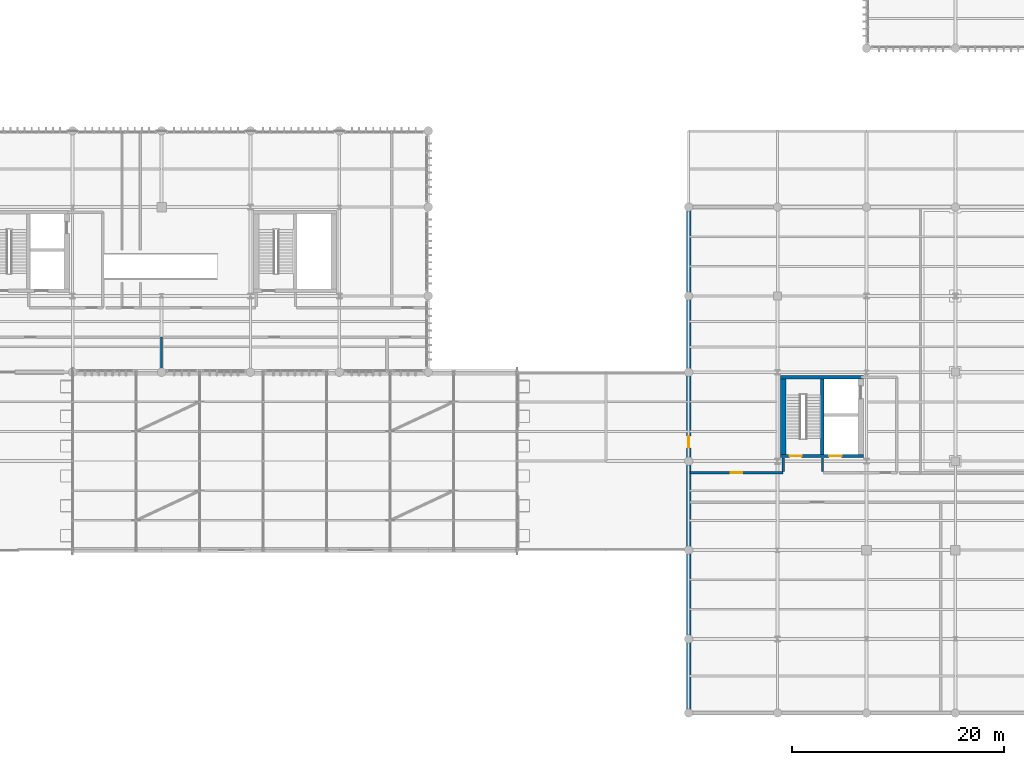
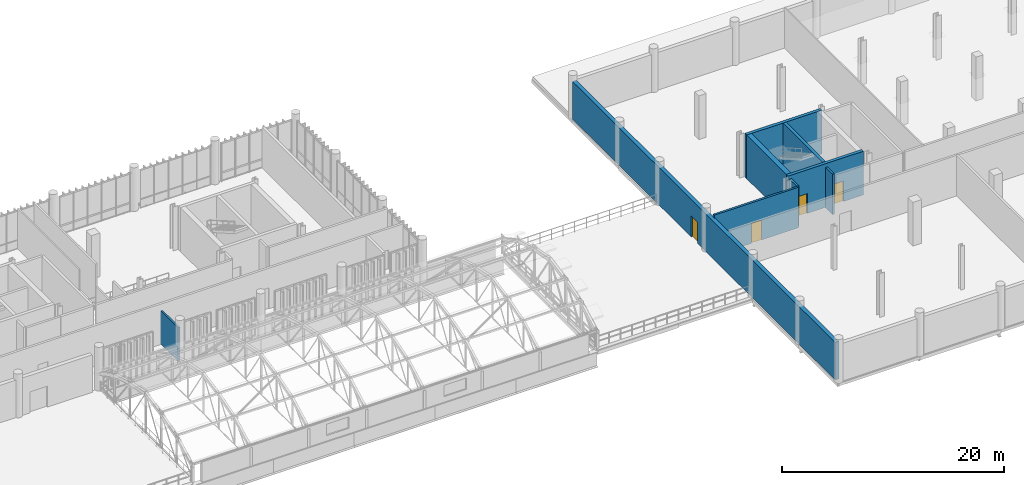
# One storey, part 93 of 109: 9 walls, 4 doors, 4 openings.
"""IFC4 building model written with IfcOpenShell, lengths in metres."""

from ifc_helpers import new_model, si_unit, direction, frame, frame_2d, origin_with_axes, place, context, subcontext, project, spatial, rectangle, extrude, material, layer, layer_set, type_object, element, fill, save


model = new_model("IFC4")

# Units and contexts
model_context = context("Model", 3, precision=1e-05, world=origin_with_axes(), true_north=direction((0.0, 1.0)))
body_context = subcontext(model_context, "Body", "Model", "MODEL_VIEW")
ifc_project = project(units=[si_unit("LENGTHUNIT", "METRE"), si_unit("AREAUNIT", "SQUARE_METRE"), si_unit("VOLUMEUNIT", "CUBIC_METRE"), si_unit("PLANEANGLEUNIT", "RADIAN"), si_unit("MASSUNIT", "GRAM", prefix="KILO"), si_unit("THERMODYNAMICTEMPERATUREUNIT", "KELVIN")], contexts=[model_context])

# Site, building, storey
site_placement = place(None, origin_with_axes())
site = spatial("IfcSite", under=ifc_project, at=site_placement, CompositionType="ELEMENT")
building_placement = place(site_placement, origin_with_axes())
building = spatial("IfcBuilding", under=site, at=building_placement, Name="Montbau Bow Law Courts", CompositionType="ELEMENT")
storey_placement = place(building_placement, frame((0.0, 0.0, 10.8), z_axis=(0.0, 0.0, 1.0), x_axis=(1.0, 0.0, 0.0)))
storey = spatial("IfcBuildingStorey", under=building, at=storey_placement, Name="L02", CompositionType="ELEMENT", Elevation=10.8)

# Wall
ifc_material_1 = material(Name="Concrete CSA A23.1 f'c 45 MPa", Category="concrete")
ifc_layer_1 = layer(ifc_material_1, 0.5, Name="Shear Wall", Category="concrete")
ifc_layer_set_1 = layer_set([ifc_layer_1], Name="Concrete CSA A23.1 f'c 45 MPa")
wall_type_1 = type_object("IfcWallType", Name="W-COR-01", PredefinedType="SHEAR", material=ifc_layer_set_1)
wall_1_placement = place(None, frame((130.74, 38.36, 10.8), z_axis=(0.0, 0.0, 1.0), x_axis=(0.0, -1.0, 0.0)))
element("IfcWall", 1, at=wall_1_placement, inside=storey, type_object=wall_type_1, Name="WC-L02-0510:wal_0577", PredefinedType="SHEAR", context=body_context, shape_type="SweptSolid", body=[
    extrude(rectangle(XDim=7.120000000000001, YDim=0.5, at=frame_2d((3.56, 0.0), x_axis=(1.0, 0.0))), origin_with_axes(), (0.0, 0.0, 1.0), 4.8),
])

# Wall, openings, doors
ifc_layer_2 = layer(ifc_material_1, 0.32, Name="Shear Wall", Category="concrete")
ifc_layer_set_2 = layer_set([ifc_layer_2], Name="Concrete CSA A23.1 f'c 45 MPa")
wall_type_2 = type_object("IfcWallType", Name="W-COR-05", PredefinedType="SHEAR", material=ifc_layer_set_2)
wall_2_placement = place(None, frame((130.49, 31.08, 10.8), z_axis=(0.0, 0.0, 1.0), x_axis=(1.0, 0.0, 0.0)))
wall_2 = element("IfcWall", 2, at=wall_2_placement, inside=storey, type_object=wall_type_2, Name="WC-L02-0507:wal_0574", PredefinedType="SHEAR", context=body_context, shape_type="SweptSolid", body=[
    extrude(rectangle(XDim=7.819999999999993, YDim=0.32, at=frame_2d((3.91, 0.0), x_axis=(1.0, 0.0))), origin_with_axes(), (0.0, 0.0, 1.0), 4.8),
])
opening_1_placement = place(None, frame((131.91, 31.08, 10.8), z_axis=(0.0, 0.0, 1.0), x_axis=(1.0, 0.0, 0.0)))
opening_1 = element("IfcOpeningElement", 3, at=opening_1_placement, cuts=wall_2, Name="OP-D-L02-ST-C1", PredefinedType="OPENING", context=body_context, shape_type="SweptSolid", body=[
    extrude(rectangle(XDim=1.14, YDim=2.18, at=frame_2d((0.0, 1.09), x_axis=(1.0, 0.0))), frame((0.0, 0.17, 0.0), z_axis=(0.0, -1.0, 0.0), x_axis=(1.0, 0.0, 0.0)), (0.0, 0.0, 1.0), 0.34),
])
opening_2_placement = place(None, frame((135.66, 31.08, 10.8), z_axis=(0.0, 0.0, 1.0), x_axis=(1.0, 0.0, 0.0)))
opening_2 = element("IfcOpeningElement", 4, at=opening_2_placement, cuts=wall_2, Name="OP-LD-L02-EL-C1", PredefinedType="OPENING", context=body_context, shape_type="SweptSolid", body=[
    extrude(rectangle(XDim=1.18, YDim=2.24, at=frame_2d((0.0, 1.12), x_axis=(1.0, 0.0))), frame((0.0, 0.17, 0.0), z_axis=(0.0, -1.0, 0.0), x_axis=(1.0, 0.0, 0.0)), (0.0, 0.0, 1.0), 0.34),
])
ifc_material_2 = material(Name="1.5 h Fire-Rated Hollow-Metal Exit Stair Door", Category="steel")
door_type_1 = type_object("IfcDoorType", Name="D-ST-01", OperationType="NOTDEFINED", ParameterTakesPrecedence=False, PredefinedType="DOOR", material=ifc_material_2)
door_1_placement = place(None, frame((131.91, 31.08, 10.8), z_axis=(0.0, 0.0, 1.0), x_axis=(-1.0, 0.0, 0.0)))
door_1 = element("IfcDoor", 5, at=door_1_placement, inside=storey, type_object=door_type_1, Name="D-L02-ST-C1:dor_0227", OperationType="SINGLE_SWING_LEFT", OverallHeight=2.18, OverallWidth=1.14, PredefinedType="DOOR", context=body_context, shape_type="SweptSolid", body=[
    extrude(rectangle(XDim=1.14, YDim=2.18, at=frame_2d((0.0, 1.09), x_axis=(1.0, 0.0))), frame((0.0, 0.04, 0.0), z_axis=(0.0, -1.0, 0.0), x_axis=(1.0, 0.0, 0.0)), (0.0, 0.0, 1.0), 0.08),
])
fill(opening_1, door_1)
ifc_material_3 = material(Name="Heavy-Gauge Security Custody Elevator Landing Door", Category="steel")
door_type_2 = type_object("IfcDoorType", Name="LD-CUS-01", OperationType="NOTDEFINED", ParameterTakesPrecedence=False, PredefinedType="DOOR", material=ifc_material_3)
door_2_placement = place(None, frame((135.66, 31.08, 10.8), z_axis=(0.0, 0.0, 1.0), x_axis=(-1.0, 0.0, 0.0)))
door_2 = element("IfcDoor", 6, at=door_2_placement, inside=storey, type_object=door_type_2, Name="LD-L02-EL-C1:dor_0228", OperationType="SLIDING_TO_LEFT", OverallHeight=2.24, OverallWidth=1.18, PredefinedType="DOOR", context=body_context, shape_type="SweptSolid", body=[
    extrude(rectangle(XDim=1.18, YDim=2.24, at=frame_2d((0.0, 1.12), x_axis=(1.0, 0.0))), frame((0.0, 0.04, 0.0), z_axis=(0.0, -1.0, 0.0), x_axis=(1.0, 0.0, 0.0)), (0.0, 0.0, 1.0), 0.08),
])
fill(opening_2, door_2)

# Walls
wall_3_placement = place(None, frame((138.31, 38.52, 10.8), z_axis=(0.0, 0.0, 1.0), x_axis=(-1.0, 0.0, 0.0)))
element("IfcWall", 7, at=wall_3_placement, inside=storey, type_object=wall_type_2, Name="WC-L02-0508:wal_0575", PredefinedType="SHEAR", context=body_context, shape_type="SweptSolid", body=[
    extrude(rectangle(XDim=7.819999999999993, YDim=0.32, at=frame_2d((3.91, 0.0), x_axis=(1.0, 0.0))), origin_with_axes(), (0.0, 0.0, 1.0), 4.8),
])
wall_4_placement = place(None, frame((134.42, 31.24, 10.8), z_axis=(0.0, 0.0, 1.0), x_axis=(0.0, 1.0, 0.0)))
element("IfcWall", 8, at=wall_4_placement, inside=storey, type_object=wall_type_2, Name="WS-L02-0511:wal_0578", PredefinedType="SHEAR", context=body_context, shape_type="SweptSolid", body=[
    extrude(rectangle(XDim=7.120000000000001, YDim=0.32, at=frame_2d((3.56, 0.0), x_axis=(1.0, 0.0))), origin_with_axes(), (0.0, 0.0, 1.0), 4.8),
])

# Wall, opening, door
ifc_material_4 = material(Name="Polychrome Glazed Ceramic Rainscreen Insulated Wall", Category="masonry")
ifc_layer_3 = layer(ifc_material_4, 0.4, Name="Solid Wall", Category="masonry")
ifc_layer_set_3 = layer_set([ifc_layer_3], Name="Polychrome Glazed Ceramic Rainscreen Insulated Wall")
wall_type_3 = type_object("IfcWallType", Name="W-EXT-04", PredefinedType="SOLIDWALL", material=ifc_layer_set_3)
wall_5_placement = place(None, frame((121.8, 54.34, 10.8), z_axis=(0.0, 0.0, 1.0), x_axis=(0.0, -1.0, 0.0)))
wall_5 = element("IfcWall", 9, at=wall_5_placement, inside=storey, type_object=wall_type_3, Name="WE-L02-023:wal_0040", PredefinedType="SOLIDWALL", context=body_context, shape_type="SweptSolid", body=[
    extrude(rectangle(XDim=47.28, YDim=0.4, at=frame_2d((23.64, 0.0), x_axis=(1.0, 0.0))), origin_with_axes(), (0.0, 0.0, 1.0), 4.124),
])
opening_3_placement = place(None, frame((121.8, 32.4, 10.8), z_axis=(0.0, 0.0, 1.0), x_axis=(0.0, -1.0, 0.0)))
opening_3 = element("IfcOpeningElement", 10, at=opening_3_placement, cuts=wall_5, Name="OP-D-TER-02", PredefinedType="OPENING", context=body_context, shape_type="SweptSolid", body=[
    extrude(rectangle(XDim=1.1, YDim=2.3, at=frame_2d((0.0, 1.15), x_axis=(1.0, 0.0))), frame((0.0, 0.21, 0.0), z_axis=(0.0, -1.0, 0.0), x_axis=(1.0, 0.0, 0.0)), (0.0, 0.0, 1.0), 0.42),
])
ifc_material_5 = material(Name="Thermally Broken Glazed Terrace Access Door", Category="aluminium")
door_type_3 = type_object("IfcDoorType", Name="D-EXT-06", OperationType="NOTDEFINED", ParameterTakesPrecedence=False, PredefinedType="DOOR", material=ifc_material_5)
door_3_placement = place(None, frame((121.8, 32.4, 10.8), z_axis=(0.0, 0.0, 1.0), x_axis=(0.0, -1.0, 0.0)))
door_3 = element("IfcDoor", 11, at=door_3_placement, inside=storey, type_object=door_type_3, Name="D-TER-02:dor_0025", OperationType="SINGLE_SWING_LEFT", OverallHeight=2.3, OverallWidth=1.1, PredefinedType="DOOR", context=body_context, shape_type="SweptSolid", body=[
    extrude(rectangle(XDim=1.1, YDim=2.3, at=frame_2d((0.0, 1.15), x_axis=(1.0, 0.0))), frame((0.0, 0.04, 0.0), z_axis=(0.0, -1.0, 0.0), x_axis=(1.0, 0.0, 0.0)), (0.0, 0.0, 1.0), 0.08),
])
fill(opening_3, door_3)

# Walls
ifc_material_6 = material(Name="STC-60 High-Acoustic Courtroom Perimeter Partition", Category="gypsum")
ifc_layer_4 = layer(ifc_material_6, 0.22, Name="Partition", Category="gypsum")
ifc_layer_set_4 = layer_set([ifc_layer_4], Name="STC-60 High-Acoustic Courtroom Perimeter Partition")
wall_type_4 = type_object("IfcWallType", Name="W-PRT-02", PredefinedType="PARTITIONING", material=ifc_layer_set_4)
for number, where, z_axis, x_axis, name in (
    (12, (130.74, 29.62, 10.8), (0.0, 0.0, 1.0), (0.0, 1.0, 0.0), "WCX-L02-0763:wal_0830"),
    (13, (134.45, 29.62, 10.8), (0.0, 0.0, 1.0), (0.0, 1.0, 0.0), "WCX-L02-0764:wal_0831"),
):
    element("IfcWall", number, at=place(None, frame(where, z_axis=z_axis, x_axis=x_axis)), inside=storey, type_object=wall_type_4, Name=name, PredefinedType="PARTITIONING", context=body_context, shape_type="SweptSolid", body=[
        extrude(rectangle(XDim=1.259999999999998, YDim=0.22, at=frame_2d((0.63, 0.0), x_axis=(1.0, 0.0))), origin_with_axes(), (0.0, 0.0, 1.0), 4.44),
    ])

# Wall, opening, door
wall_6_placement = place(None, frame((121.94, 29.49, 10.8), z_axis=(0.0, 0.0, 1.0), x_axis=(1.0, 0.0, 0.0)))
wall_6 = element("IfcWall", 14, at=wall_6_placement, inside=storey, type_object=wall_type_4, Name="WP-L02-0765:wal_0832", PredefinedType="PARTITIONING", context=body_context, shape_type="SweptSolid", body=[
    extrude(rectangle(XDim=8.759999999999991, YDim=0.22, at=frame_2d((4.38, 0.0), x_axis=(1.0, 0.0))), origin_with_axes(), (0.0, 0.0, 1.0), 4.44),
])
opening_4_placement = place(None, frame((126.32, 29.49, 10.8), z_axis=(0.0, 0.0, 1.0), x_axis=(1.0, 0.0, 0.0)))
opening_4 = element("IfcOpeningElement", 15, at=opening_4_placement, cuts=wall_6, Name="OP-D-L02-315", PredefinedType="OPENING", context=body_context, shape_type="SweptSolid", body=[
    extrude(rectangle(XDim=1.08, YDim=2.18, at=frame_2d((0.0, 1.09), x_axis=(1.0, 0.0))), frame((0.0, 0.12, 0.0), z_axis=(0.0, -1.0, 0.0), x_axis=(1.0, 0.0, 0.0)), (0.0, 0.0, 1.0), 0.24),
])
ifc_material_7 = material(Name="Detention-Grade Steel Custody Corridor Interlock Gate", Category="steel")
door_type_4 = type_object("IfcDoorType", Name="D-GAT-02", OperationType="NOTDEFINED", ParameterTakesPrecedence=False, PredefinedType="GATE", material=ifc_material_7)
door_4_placement = place(None, frame((126.32, 29.49, 10.8), z_axis=(0.0, 0.0, 1.0), x_axis=(-1.0, 0.0, 0.0)))
door_4 = element("IfcDoor", 16, at=door_4_placement, inside=storey, type_object=door_type_4, Name="D-L02-315:dor_0350", OperationType="SINGLE_SWING_RIGHT", OverallHeight=2.18, OverallWidth=1.08, PredefinedType="GATE", context=body_context, shape_type="SweptSolid", body=[
    extrude(rectangle(XDim=1.08, YDim=2.18, at=frame_2d((0.0, 1.09), x_axis=(1.0, 0.0))), frame((0.0, 0.04, 0.0), z_axis=(0.0, -1.0, 0.0), x_axis=(1.0, 0.0, 0.0)), (0.0, 0.0, 1.0), 0.08),
])
fill(opening_4, door_4)

# Wall
ifc_material_8 = material(Name="1 h Corridor Fire-Rated Gypsum Partition", Category="gypsum")
ifc_layer_5 = layer(ifc_material_8, 0.18, Name="Partition", Category="gypsum")
ifc_layer_set_5 = layer_set([ifc_layer_5], Name="1 h Corridor Fire-Rated Gypsum Partition")
wall_type_5 = type_object("IfcWallType", Name="W-PRT-04", PredefinedType="PARTITIONING", material=ifc_layer_set_5)
wall_7_placement = place(None, frame((72.0, 39.14, 10.8), z_axis=(0.0, 0.0, 1.0), x_axis=(0.0, 1.0, 0.0)))
element("IfcWall", 17, at=wall_7_placement, inside=storey, type_object=wall_type_5, Name="WD-L02-0756:wal_0823", PredefinedType="PARTITIONING", context=body_context, shape_type="SweptSolid", body=[
    extrude(rectangle(XDim=3.1700000000000017, YDim=0.18, at=frame_2d((1.585, 0.0), x_axis=(1.0, 0.0))), origin_with_axes(), (0.0, 0.0, 1.0), 3.664),
])

save(model, "model.ifc")
